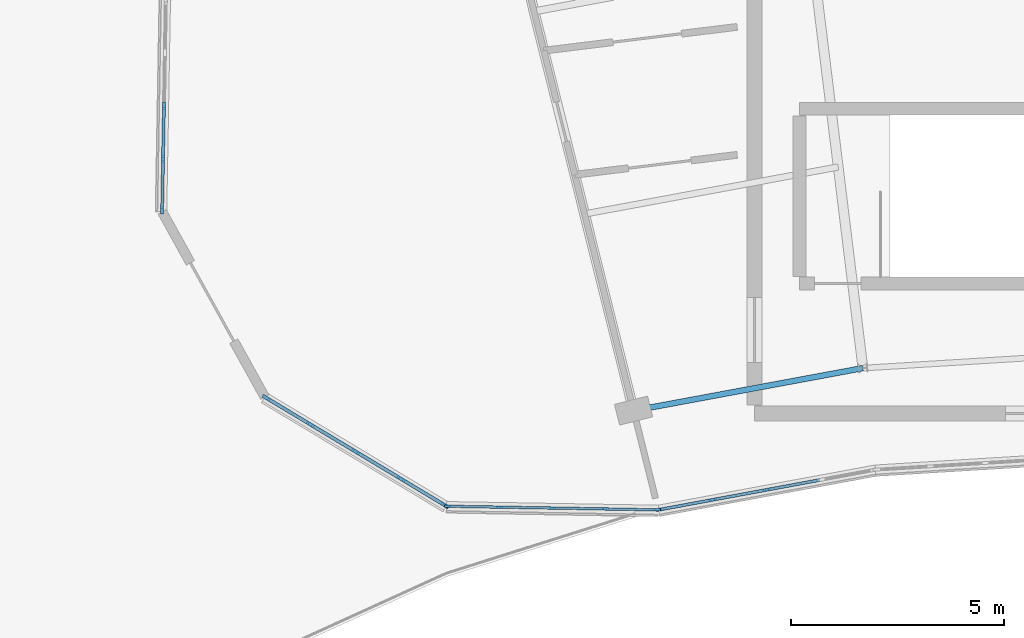
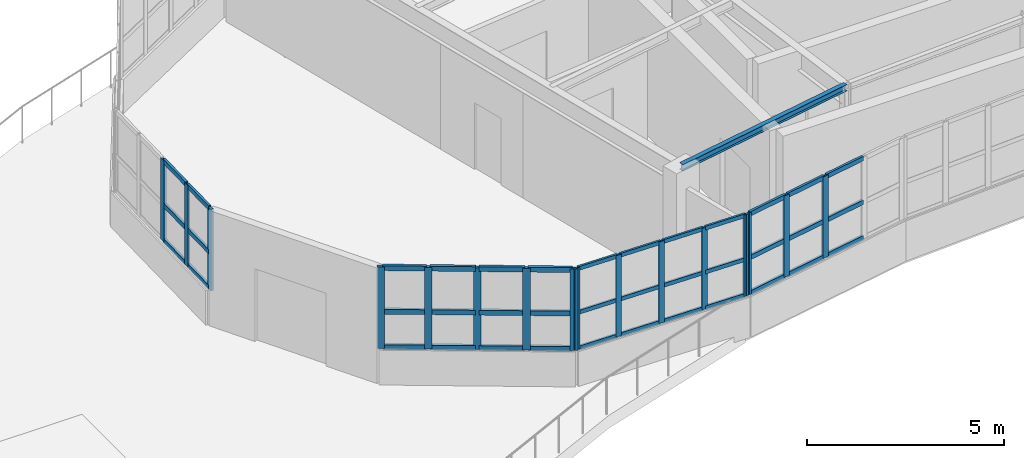
# One storey, part 6 of 26: 55 members, 1 beam, 4 elements without a shape of their own.
"""IFC4 building model written with IfcOpenShell, lengths in metres."""

from ifc_helpers import new_model, si_unit, direction, frame, origin, origin_2d, place, context, subcontext, project, spatial, rectangle, i_section, extrude, material, layer, layer_set, material_profile, profile_set, type_object, element, aggregate, save


model = new_model("IFC4")

# Units and contexts
model_context = context("Model", 3, precision=1e-05, world=origin(), true_north=direction((0.0, 1.0)))
body_context = subcontext(model_context, "Body", "Model", "MODEL_VIEW")
ifc_project = project(units=[si_unit("LENGTHUNIT", "METRE"), si_unit("AREAUNIT", "SQUARE_METRE"), si_unit("VOLUMEUNIT", "CUBIC_METRE"), si_unit("PLANEANGLEUNIT", "RADIAN"), si_unit("MASSUNIT", "GRAM", prefix="KILO")], contexts=[model_context])

# Site, building, storey
site_placement = place(None, origin())
site = spatial("IfcSite", under=ifc_project, at=site_placement, CompositionType="ELEMENT")
building_placement = place(site_placement, origin())
building = spatial("IfcBuilding", under=site, at=building_placement, Name="Tarnwether General Hospital", CompositionType="ELEMENT")
storey_placement = place(building_placement, frame((0.0, 0.0, 30.0)))
storey = spatial("IfcBuildingStorey", under=building, at=storey_placement, Name="L07", CompositionType="ELEMENT", Elevation=30.0)

# Beam
ifc_material_1 = material(Name="Steel Grade 350 (350 MPa)", Category="steel")
ifc_material_profile_1 = material_profile(ifc_material_1, i_section(OverallWidth=0.133056640625, OverallDepth=0.202880859375, WebThickness=0.005859375, FlangeThickness=0.0078125, at=origin_2d()), Name="200UB25.4")
ifc_profile_set_1 = profile_set([ifc_material_profile_1], Name="Steel Grade 350 (350 MPa)")
beam_type = type_object("IfcBeamType", Name="BM-SP5", PredefinedType="SPANDREL", material=ifc_profile_set_1)
beam_placement = place(storey_placement, frame((81.162109375, 106.468994140625, 3.798583984375), z_axis=(0.983244096291, 0.18229384825, 0.0), x_axis=(-0.18229384825, 0.983244096291, 0.0)))
element("IfcBeam", 1, at=beam_placement, inside=storey, type_object=beam_type, Name="Curved Ward NW Inner Spandrel BMG-L07-8116_10647-8654_10747-2050", PredefinedType="SPANDREL", context=body_context, shape_type="SweptSolid", body=[
    extrude(i_section(OverallWidth=0.133056640625, OverallDepth=0.202880859375, WebThickness=0.005859375, FlangeThickness=0.0078125, at=origin_2d()), origin(), (0.0, 0.0, 1.0), 5.469482421875),
])

# Curtain wall, members
ifc_material_2 = material(Name="Anodised aluminium", Category="aluminium")
ifc_layer = layer(ifc_material_2, 0.159912109375)
ifc_layer_set = layer_set([ifc_layer], Name="Anodised aluminium")
curtain_wall_type = type_object("IfcCurtainWallType", Name="CW-03", PredefinedType="NOTDEFINED", material=ifc_layer_set)
curtain_wall_1_placement = place(storey_placement, origin())
curtain_wall_1 = element("IfcCurtainWall", 2, at=curtain_wall_1_placement, inside=storey, type_object=curtain_wall_type, Name="Curtain Wall CWG-L07-817_1041-0132", PredefinedType="NOTDEFINED")
ifc_material_3 = material(Name="Anodised aluminium", Category="aluminium")
ifc_material_profile_2 = material_profile(ifc_material_3, rectangle(XDim=0.06005859375, YDim=0.159912109375, at=origin_2d()), Name="ALU-MUL-60x160")
ifc_profile_set_2 = profile_set([ifc_material_profile_2], Name="Anodised aluminium")
member_type_1 = type_object("IfcMemberType", Name="CW-ML1", PredefinedType="MULLION", material=ifc_profile_set_2)
member_1_placement = place(storey_placement, frame((81.712890625, 104.1416015625, 1.050048828125), z_axis=(0.0, 0.0, 1.0), x_axis=(-0.017304713729, -0.999850262231, 0.0)))
member_1 = element("IfcMember", 3, at=member_1_placement, type_object=member_type_1, Name="CW-03 mullion 1", PredefinedType="MULLION", context=body_context, shape_type="SweptSolid", body=[
    extrude(rectangle(XDim=0.06005859375, YDim=0.159912109375, at=origin_2d()), origin(), (0.0, 0.0, 1.0), 2.52001953125),
])
member_2_placement = place(storey_placement, frame((80.500732421875, 104.16259765625, 1.050048828125), z_axis=(0.0, 0.0, 1.0), x_axis=(-0.017304713729, -0.999850262231, 0.0)))
member_2 = element("IfcMember", 4, at=member_2_placement, type_object=member_type_1, Name="CW-03 mullion 2", PredefinedType="MULLION", context=body_context, shape_type="SweptSolid", body=[
    extrude(rectangle(XDim=0.06005859375, YDim=0.159912109375, at=origin_2d()), origin(), (0.0, 0.0, 1.0), 2.52001953125),
])
member_3_placement = place(storey_placement, frame((79.258544921875, 104.18408203125, 1.050048828125), z_axis=(0.0, 0.0, 1.0), x_axis=(-0.017304713729, -0.999850262231, 0.0)))
member_3 = element("IfcMember", 5, at=member_3_placement, type_object=member_type_1, Name="CW-03 mullion 3", PredefinedType="MULLION", context=body_context, shape_type="SweptSolid", body=[
    extrude(rectangle(XDim=0.06005859375, YDim=0.159912109375, at=origin_2d()), origin(), (0.0, 0.0, 1.0), 2.52001953125),
])
member_4_placement = place(storey_placement, frame((78.016357421875, 104.20556640625, 1.050048828125), z_axis=(0.0, 0.0, 1.0), x_axis=(-0.017304713729, -0.999850262231, 0.0)))
member_4 = element("IfcMember", 6, at=member_4_placement, type_object=member_type_1, Name="CW-03 mullion 4", PredefinedType="MULLION", context=body_context, shape_type="SweptSolid", body=[
    extrude(rectangle(XDim=0.06005859375, YDim=0.159912109375, at=origin_2d()), origin(), (0.0, 0.0, 1.0), 2.52001953125),
])
member_5_placement = place(storey_placement, frame((76.803955078125, 104.2265625, 1.050048828125), z_axis=(0.0, 0.0, 1.0), x_axis=(-0.017304713729, -0.999850262231, 0.0)))
member_5 = element("IfcMember", 7, at=member_5_placement, type_object=member_type_1, Name="CW-03 mullion 5", PredefinedType="MULLION", context=body_context, shape_type="SweptSolid", body=[
    extrude(rectangle(XDim=0.06005859375, YDim=0.159912109375, at=origin_2d()), origin(), (0.0, 0.0, 1.0), 2.52001953125),
])

curtain_wall_2_placement = place(storey_placement, origin())
curtain_wall_2 = element("IfcCurtainWall", 8, at=curtain_wall_2_placement, inside=storey, type_object=curtain_wall_type, Name="Curtain Wall CWG-L07-701_1111-0130", PredefinedType="NOTDEFINED")
ifc_material_4 = material(Name="Anodised aluminium", Category="aluminium")
ifc_material_profile_3 = material_profile(ifc_material_4, rectangle(XDim=0.070068359375, YDim=0.179931640625, at=origin_2d()), Name="ALU-MUL-70x180")
ifc_profile_set_3 = profile_set([ifc_material_profile_3], Name="Anodised aluminium")
member_type_2 = type_object("IfcMemberType", Name="CW-ML2", PredefinedType="MULLION", material=ifc_profile_set_3)
member_6_placement = place(storey_placement, frame((70.105712890625, 111.16796875, 1.050048828125), z_axis=(0.0, 0.0, 1.0), x_axis=(-0.999846698833, 0.017509392677, 0.0)))
member_6 = element("IfcMember", 9, at=member_6_placement, type_object=member_type_2, Name="CW-03 mullion 1", PredefinedType="MULLION", context=body_context, shape_type="SweptSolid", body=[
    extrude(rectangle(XDim=0.070068359375, YDim=0.179931640625, at=origin_2d()), origin(), (0.0, 0.0, 1.0), 2.52001953125),
])
member_7_placement = place(storey_placement, frame((70.126708984375, 112.375, 1.050048828125), z_axis=(0.0, 0.0, 1.0), x_axis=(-0.999846698833, 0.017509392677, 0.0)))
member_7 = element("IfcMember", 10, at=member_7_placement, type_object=member_type_2, Name="CW-03 mullion 2", PredefinedType="MULLION", context=body_context, shape_type="SweptSolid", body=[
    extrude(rectangle(XDim=0.070068359375, YDim=0.179931640625, at=origin_2d()), origin(), (0.0, 0.0, 1.0), 2.52001953125),
])
member_8_placement = place(storey_placement, frame((70.1484375, 113.616943359375, 1.050048828125), z_axis=(0.0, 0.0, 1.0), x_axis=(-0.999846698833, 0.017509392677, 0.0)))
member_8 = element("IfcMember", 11, at=member_8_placement, type_object=member_type_2, Name="CW-03 mullion 3", PredefinedType="MULLION", context=body_context, shape_type="SweptSolid", body=[
    extrude(rectangle(XDim=0.070068359375, YDim=0.179931640625, at=origin_2d()), origin(), (0.0, 0.0, 1.0), 2.52001953125),
])

curtain_wall_3_placement = place(storey_placement, origin())
curtain_wall_3 = element("IfcCurtainWall", 12, at=curtain_wall_3_placement, inside=storey, type_object=curtain_wall_type, Name="Curtain Wall CWG-L07-868_1051-0133", PredefinedType="NOTDEFINED")
member_9_placement = place(storey_placement, frame((84.2880859375, 104.612548828125, 1.050048828125), z_axis=(0.0, 0.0, 1.0), x_axis=(0.182165351666, -0.983267910924, 0.0)))
member_9 = element("IfcMember", 13, at=member_9_placement, type_object=member_type_2, Name="CW-03 mullion 3", PredefinedType="MULLION", context=body_context, shape_type="SweptSolid", body=[
    extrude(rectangle(XDim=0.070068359375, YDim=0.179931640625, at=origin_2d()), origin(), (0.0, 0.0, 1.0), 2.52001953125),
])
member_10_placement = place(storey_placement, frame((83.015380859375, 104.376708984375, 1.050048828125), z_axis=(0.0, 0.0, 1.0), x_axis=(0.182165351666, -0.983267910924, 0.0)))
member_10 = element("IfcMember", 14, at=member_10_placement, type_object=member_type_2, Name="CW-03 mullion 4", PredefinedType="MULLION", context=body_context, shape_type="SweptSolid", body=[
    extrude(rectangle(XDim=0.070068359375, YDim=0.179931640625, at=origin_2d()), origin(), (0.0, 0.0, 1.0), 2.52001953125),
])
member_11_placement = place(storey_placement, frame((81.77734375, 104.1474609375, 1.050048828125), z_axis=(0.0, 0.0, 1.0), x_axis=(0.182165351666, -0.983267910924, 0.0)))
member_11 = element("IfcMember", 15, at=member_11_placement, type_object=member_type_2, Name="CW-03 mullion 5", PredefinedType="MULLION", context=body_context, shape_type="SweptSolid", body=[
    extrude(rectangle(XDim=0.070068359375, YDim=0.179931640625, at=origin_2d()), origin(), (0.0, 0.0, 1.0), 2.52001953125),
])

curtain_wall_4_placement = place(storey_placement, origin())
curtain_wall_4 = element("IfcCurtainWall", 16, at=curtain_wall_4_placement, inside=storey, type_object=curtain_wall_type, Name="Curtain Wall CWG-L07-768_1042-0131", PredefinedType="NOTDEFINED")
ifc_material_5 = material(Name="Anodised aluminium", Category="aluminium")
ifc_material_profile_4 = material_profile(ifc_material_5, rectangle(XDim=0.080078125, YDim=0.199951171875, at=origin_2d()), Name="ALU-MUL-80x200")
ifc_profile_set_4 = profile_set([ifc_material_profile_4], Name="Anodised aluminium")
member_type_3 = type_object("IfcMemberType", Name="CW-ML4", PredefinedType="MULLION", material=ifc_profile_set_4)
member_12_placement = place(storey_placement, frame((76.73974609375, 104.24755859375, 1.050048828125), z_axis=(0.0, 0.0, 1.0), x_axis=(-0.515087415328, -0.857137652055, 0.0)))
member_12 = element("IfcMember", 17, at=member_12_placement, type_object=member_type_3, Name="CW-03 mullion 1", PredefinedType="MULLION", context=body_context, shape_type="SweptSolid", body=[
    extrude(rectangle(XDim=0.080078125, YDim=0.199951171875, at=origin_2d()), origin(), (0.0, 0.0, 1.0), 2.52001953125),
])
member_13_placement = place(storey_placement, frame((75.708984375, 104.866943359375, 1.050048828125), z_axis=(0.0, 0.0, 1.0), x_axis=(-0.515087415328, -0.857137652055, 0.0)))
member_13 = element("IfcMember", 18, at=member_13_placement, type_object=member_type_3, Name="CW-03 mullion 2", PredefinedType="MULLION", context=body_context, shape_type="SweptSolid", body=[
    extrude(rectangle(XDim=0.080078125, YDim=0.199951171875, at=origin_2d()), origin(), (0.0, 0.0, 1.0), 2.52001953125),
])
member_14_placement = place(storey_placement, frame((74.64404296875, 105.507080078125, 1.050048828125), z_axis=(0.0, 0.0, 1.0), x_axis=(-0.515087415328, -0.857137652055, 0.0)))
member_14 = element("IfcMember", 19, at=member_14_placement, type_object=member_type_3, Name="CW-03 mullion 3", PredefinedType="MULLION", context=body_context, shape_type="SweptSolid", body=[
    extrude(rectangle(XDim=0.080078125, YDim=0.199951171875, at=origin_2d()), origin(), (0.0, 0.0, 1.0), 2.52001953125),
])
member_15_placement = place(storey_placement, frame((73.5791015625, 106.14697265625, 1.050048828125), z_axis=(0.0, 0.0, 1.0), x_axis=(-0.515087415328, -0.857137652055, 0.0)))
member_15 = element("IfcMember", 20, at=member_15_placement, type_object=member_type_3, Name="CW-03 mullion 4", PredefinedType="MULLION", context=body_context, shape_type="SweptSolid", body=[
    extrude(rectangle(XDim=0.080078125, YDim=0.199951171875, at=origin_2d()), origin(), (0.0, 0.0, 1.0), 2.52001953125),
])
member_16_placement = place(storey_placement, frame((72.54833984375, 106.766357421875, 1.050048828125), z_axis=(0.0, 0.0, 1.0), x_axis=(-0.515087415328, -0.857137652055, 0.0)))
member_16 = element("IfcMember", 21, at=member_16_placement, type_object=member_type_3, Name="CW-03 mullion 5", PredefinedType="MULLION", context=body_context, shape_type="SweptSolid", body=[
    extrude(rectangle(XDim=0.080078125, YDim=0.199951171875, at=origin_2d()), origin(), (0.0, 0.0, 1.0), 2.52001953125),
])

# Member
ifc_material_6 = material(Name="Anodised aluminium", Category="aluminium")
ifc_material_profile_5 = material_profile(ifc_material_6, rectangle(XDim=0.06005859375, YDim=0.1201171875, at=origin_2d()), Name="ALU-TRN-60x120")
ifc_profile_set_5 = profile_set([ifc_material_profile_5], Name="Anodised aluminium")
member_type_4 = type_object("IfcMemberType", Name="CW-TR1", PredefinedType="USERDEFINED", material=ifc_profile_set_5)
member_17_placement = place(storey_placement, frame((81.68310546875, 104.14208984375, 1.080078125), z_axis=(-0.999852782265, 0.017158490543, 0.0), x_axis=(-0.017158490543, -0.999852782265, 0.0)))
member_17 = element("IfcMember", 22, at=member_17_placement, type_object=member_type_4, Name="CW-03 transom 1.1", ObjectType="TRANSOM", PredefinedType="USERDEFINED", context=body_context, shape_type="SweptSolid", body=[
    extrude(rectangle(XDim=0.06005859375, YDim=0.1201171875, at=origin_2d()), origin(), (0.0, 0.0, 1.0), 1.152587890625),
])

member_18_placement = place(storey_placement, frame((81.68310546875, 104.14208984375, 2.18408203125), z_axis=(-0.999852782265, 0.017158490543, 0.0), x_axis=(-0.017158490543, -0.999852782265, 0.0)))
member_18 = element("IfcMember", 23, at=member_18_placement, type_object=member_type_4, Name="CW-03 transom 1.2", ObjectType="TRANSOM", PredefinedType="USERDEFINED", context=body_context, shape_type="SweptSolid", body=[
    extrude(rectangle(XDim=0.06005859375, YDim=0.1201171875, at=origin_2d()), origin(), (0.0, 0.0, 1.0), 1.152587890625),
])

member_19_placement = place(storey_placement, frame((81.68310546875, 104.14208984375, 3.5400390625), z_axis=(-0.999852782265, 0.017158490543, 0.0), x_axis=(-0.017158490543, -0.999852782265, 0.0)))
member_19 = element("IfcMember", 24, at=member_19_placement, type_object=member_type_4, Name="CW-03 transom 1.3", ObjectType="TRANSOM", PredefinedType="USERDEFINED", context=body_context, shape_type="SweptSolid", body=[
    extrude(rectangle(XDim=0.06005859375, YDim=0.1201171875, at=origin_2d()), origin(), (0.0, 0.0, 1.0), 1.152587890625),
])

member_20_placement = place(storey_placement, frame((80.470703125, 104.1630859375, 1.080078125), z_axis=(-0.99984955388, 0.017345593252, 0.0), x_axis=(-0.017345593252, -0.99984955388, 0.0)))
member_20 = element("IfcMember", 25, at=member_20_placement, type_object=member_type_4, Name="CW-03 transom 2.1", ObjectType="TRANSOM", PredefinedType="USERDEFINED", context=body_context, shape_type="SweptSolid", body=[
    extrude(rectangle(XDim=0.06005859375, YDim=0.1201171875, at=origin_2d()), origin(), (0.0, 0.0, 1.0), 1.182373046875),
])

member_21_placement = place(storey_placement, frame((80.470703125, 104.1630859375, 2.18408203125), z_axis=(-0.99984955388, 0.017345593252, 0.0), x_axis=(-0.017345593252, -0.99984955388, 0.0)))
member_21 = element("IfcMember", 26, at=member_21_placement, type_object=member_type_4, Name="CW-03 transom 2.2", ObjectType="TRANSOM", PredefinedType="USERDEFINED", context=body_context, shape_type="SweptSolid", body=[
    extrude(rectangle(XDim=0.06005859375, YDim=0.1201171875, at=origin_2d()), origin(), (0.0, 0.0, 1.0), 1.182373046875),
])

member_22_placement = place(storey_placement, frame((80.470703125, 104.1630859375, 3.5400390625), z_axis=(-0.99984955388, 0.017345593252, 0.0), x_axis=(-0.017345593252, -0.99984955388, 0.0)))
member_22 = element("IfcMember", 27, at=member_22_placement, type_object=member_type_4, Name="CW-03 transom 2.3", ObjectType="TRANSOM", PredefinedType="USERDEFINED", context=body_context, shape_type="SweptSolid", body=[
    extrude(rectangle(XDim=0.06005859375, YDim=0.1201171875, at=origin_2d()), origin(), (0.0, 0.0, 1.0), 1.182373046875),
])

member_23_placement = place(storey_placement, frame((79.228515625, 104.1845703125, 1.080078125), z_axis=(-0.999849615989, 0.017342012749, 0.0), x_axis=(-0.017342012749, -0.999849615989, 0.0)))
member_23 = element("IfcMember", 28, at=member_23_placement, type_object=member_type_4, Name="CW-03 transom 3.1", ObjectType="TRANSOM", PredefinedType="USERDEFINED", context=body_context, shape_type="SweptSolid", body=[
    extrude(rectangle(XDim=0.06005859375, YDim=0.1201171875, at=origin_2d()), origin(), (0.0, 0.0, 1.0), 1.1826171875),
])

member_24_placement = place(storey_placement, frame((79.228515625, 104.1845703125, 2.18408203125), z_axis=(-0.999849615989, 0.017342012749, 0.0), x_axis=(-0.017342012749, -0.999849615989, 0.0)))
member_24 = element("IfcMember", 29, at=member_24_placement, type_object=member_type_4, Name="CW-03 transom 3.2", ObjectType="TRANSOM", PredefinedType="USERDEFINED", context=body_context, shape_type="SweptSolid", body=[
    extrude(rectangle(XDim=0.06005859375, YDim=0.1201171875, at=origin_2d()), origin(), (0.0, 0.0, 1.0), 1.1826171875),
])

member_25_placement = place(storey_placement, frame((79.228515625, 104.1845703125, 3.5400390625), z_axis=(-0.999849615989, 0.017342012749, 0.0), x_axis=(-0.017342012749, -0.999849615989, 0.0)))
member_25 = element("IfcMember", 30, at=member_25_placement, type_object=member_type_4, Name="CW-03 transom 3.3", ObjectType="TRANSOM", PredefinedType="USERDEFINED", context=body_context, shape_type="SweptSolid", body=[
    extrude(rectangle(XDim=0.06005859375, YDim=0.1201171875, at=origin_2d()), origin(), (0.0, 0.0, 1.0), 1.1826171875),
])

member_26_placement = place(storey_placement, frame((77.986328125, 104.2060546875, 1.080078125), z_axis=(-0.999849125648, 0.017370260234, 0.0), x_axis=(-0.017370260234, -0.999849125648, 0.0)))
member_26 = element("IfcMember", 31, at=member_26_placement, type_object=member_type_4, Name="CW-03 transom 4.1", ObjectType="TRANSOM", PredefinedType="USERDEFINED", context=body_context, shape_type="SweptSolid", body=[
    extrude(rectangle(XDim=0.06005859375, YDim=0.1201171875, at=origin_2d()), origin(), (0.0, 0.0, 1.0), 1.152587890625),
])

member_27_placement = place(storey_placement, frame((77.986328125, 104.2060546875, 2.18408203125), z_axis=(-0.999849125648, 0.017370260234, 0.0), x_axis=(-0.017370260234, -0.999849125648, 0.0)))
member_27 = element("IfcMember", 32, at=member_27_placement, type_object=member_type_4, Name="CW-03 transom 4.2", ObjectType="TRANSOM", PredefinedType="USERDEFINED", context=body_context, shape_type="SweptSolid", body=[
    extrude(rectangle(XDim=0.06005859375, YDim=0.1201171875, at=origin_2d()), origin(), (0.0, 0.0, 1.0), 1.152587890625),
])

member_28_placement = place(storey_placement, frame((77.986328125, 104.2060546875, 3.5400390625), z_axis=(-0.999849125648, 0.017370260234, 0.0), x_axis=(-0.017370260234, -0.999849125648, 0.0)))
member_28 = element("IfcMember", 33, at=member_28_placement, type_object=member_type_4, Name="CW-03 transom 4.3", ObjectType="TRANSOM", PredefinedType="USERDEFINED", context=body_context, shape_type="SweptSolid", body=[
    extrude(rectangle(XDim=0.06005859375, YDim=0.1201171875, at=origin_2d()), origin(), (0.0, 0.0, 1.0), 1.152587890625),
])

aggregate(curtain_wall_1, [member_1, member_2, member_3, member_4, member_5, member_17, member_18, member_19, member_20, member_21, member_22, member_23, member_24, member_25, member_26, member_27, member_28])

ifc_material_7 = material(Name="Anodised aluminium", Category="aluminium")
ifc_material_profile_6 = material_profile(ifc_material_7, rectangle(XDim=0.070068359375, YDim=0.139892578125, at=origin_2d()), Name="ALU-TRN-70x140")
ifc_profile_set_6 = profile_set([ifc_material_profile_6], Name="Anodised aluminium")
member_type_5 = type_object("IfcMemberType", Name="CW-TR2", PredefinedType="USERDEFINED", material=ifc_profile_set_6)
member_29_placement = place(storey_placement, frame((70.106201171875, 111.202880859375, 1.0849609375), z_axis=(0.017601394771, 0.999845083451, 0.0), x_axis=(-0.999845083451, 0.017601394771, 0.0)))
member_29 = element("IfcMember", 34, at=member_29_placement, type_object=member_type_5, Name="CW-03 transom 1.1", ObjectType="TRANSOM", PredefinedType="USERDEFINED", context=body_context, shape_type="SweptSolid", body=[
    extrude(rectangle(XDim=0.070068359375, YDim=0.139892578125, at=origin_2d()), origin(), (0.0, 0.0, 1.0), 1.137451171875),
])

member_30_placement = place(storey_placement, frame((70.106201171875, 111.202880859375, 2.18408203125), z_axis=(0.017601394771, 0.999845083451, 0.0), x_axis=(-0.999845083451, 0.017601394771, 0.0)))
member_30 = element("IfcMember", 35, at=member_30_placement, type_object=member_type_5, Name="CW-03 transom 1.2", ObjectType="TRANSOM", PredefinedType="USERDEFINED", context=body_context, shape_type="SweptSolid", body=[
    extrude(rectangle(XDim=0.070068359375, YDim=0.139892578125, at=origin_2d()), origin(), (0.0, 0.0, 1.0), 1.137451171875),
])

member_31_placement = place(storey_placement, frame((70.106201171875, 111.202880859375, 3.534912109375), z_axis=(0.017601394771, 0.999845083451, 0.0), x_axis=(-0.999845083451, 0.017601394771, 0.0)))
member_31 = element("IfcMember", 36, at=member_31_placement, type_object=member_type_5, Name="CW-03 transom 1.3", ObjectType="TRANSOM", PredefinedType="USERDEFINED", context=body_context, shape_type="SweptSolid", body=[
    extrude(rectangle(XDim=0.070068359375, YDim=0.139892578125, at=origin_2d()), origin(), (0.0, 0.0, 1.0), 1.137451171875),
])

member_32_placement = place(storey_placement, frame((70.12744140625, 112.409912109375, 1.0849609375), z_axis=(0.017493677527, 0.999846973915, 0.0), x_axis=(-0.999846973915, 0.017493677527, 0.0)))
member_32 = element("IfcMember", 37, at=member_32_placement, type_object=member_type_5, Name="CW-03 transom 2.1", ObjectType="TRANSOM", PredefinedType="USERDEFINED", context=body_context, shape_type="SweptSolid", body=[
    extrude(rectangle(XDim=0.070068359375, YDim=0.139892578125, at=origin_2d()), origin(), (0.0, 0.0, 1.0), 1.17236328125),
])

member_33_placement = place(storey_placement, frame((70.12744140625, 112.409912109375, 2.18408203125), z_axis=(0.017493677527, 0.999846973915, 0.0), x_axis=(-0.999846973915, 0.017493677527, 0.0)))
member_33 = element("IfcMember", 38, at=member_33_placement, type_object=member_type_5, Name="CW-03 transom 2.2", ObjectType="TRANSOM", PredefinedType="USERDEFINED", context=body_context, shape_type="SweptSolid", body=[
    extrude(rectangle(XDim=0.070068359375, YDim=0.139892578125, at=origin_2d()), origin(), (0.0, 0.0, 1.0), 1.17236328125),
])

member_34_placement = place(storey_placement, frame((70.12744140625, 112.409912109375, 3.534912109375), z_axis=(0.017493677527, 0.999846973915, 0.0), x_axis=(-0.999846973915, 0.017493677527, 0.0)))
member_34 = element("IfcMember", 39, at=member_34_placement, type_object=member_type_5, Name="CW-03 transom 2.3", ObjectType="TRANSOM", PredefinedType="USERDEFINED", context=body_context, shape_type="SweptSolid", body=[
    extrude(rectangle(XDim=0.070068359375, YDim=0.139892578125, at=origin_2d()), origin(), (0.0, 0.0, 1.0), 1.17236328125),
])

aggregate(curtain_wall_2, [member_6, member_7, member_8, member_29, member_30, member_31, member_32, member_33, member_34])

member_35_placement = place(storey_placement, frame((85.526123046875, 104.841796875, 1.0849609375), z_axis=(-0.983280682356, -0.182096402229, 0.0), x_axis=(0.182096402229, -0.983280682356, 0.0)))
member_35 = element("IfcMember", 40, at=member_35_placement, type_object=member_type_5, Name="CW-03 transom 2.1", ObjectType="TRANSOM", PredefinedType="USERDEFINED", context=body_context, shape_type="SweptSolid", body=[
    extrude(rectangle(XDim=0.070068359375, YDim=0.139892578125, at=origin_2d()), origin(), (0.0, 0.0, 1.0), 1.22412109375),
])

member_36_placement = place(storey_placement, frame((85.526123046875, 104.841796875, 2.18408203125), z_axis=(-0.983280682356, -0.182096402229, 0.0), x_axis=(0.182096402229, -0.983280682356, 0.0)))
member_36 = element("IfcMember", 41, at=member_36_placement, type_object=member_type_5, Name="CW-03 transom 2.2", ObjectType="TRANSOM", PredefinedType="USERDEFINED", context=body_context, shape_type="SweptSolid", body=[
    extrude(rectangle(XDim=0.070068359375, YDim=0.139892578125, at=origin_2d()), origin(), (0.0, 0.0, 1.0), 1.22412109375),
])

member_37_placement = place(storey_placement, frame((85.526123046875, 104.841796875, 3.534912109375), z_axis=(-0.983280682356, -0.182096402229, 0.0), x_axis=(0.182096402229, -0.983280682356, 0.0)))
member_37 = element("IfcMember", 42, at=member_37_placement, type_object=member_type_5, Name="CW-03 transom 2.3", ObjectType="TRANSOM", PredefinedType="USERDEFINED", context=body_context, shape_type="SweptSolid", body=[
    extrude(rectangle(XDim=0.070068359375, YDim=0.139892578125, at=origin_2d()), origin(), (0.0, 0.0, 1.0), 1.22412109375),
])

member_38_placement = place(storey_placement, frame((84.253662109375, 104.606201171875, 1.0849609375), z_axis=(-0.983251578488, -0.182253486664, 0.0), x_axis=(0.182253486664, -0.983251578488, 0.0)))
member_38 = element("IfcMember", 43, at=member_38_placement, type_object=member_type_5, Name="CW-03 transom 3.1", ObjectType="TRANSOM", PredefinedType="USERDEFINED", context=body_context, shape_type="SweptSolid", body=[
    extrude(rectangle(XDim=0.070068359375, YDim=0.139892578125, at=origin_2d()), origin(), (0.0, 0.0, 1.0), 1.224365234375),
])

member_39_placement = place(storey_placement, frame((84.253662109375, 104.606201171875, 2.18408203125), z_axis=(-0.983251578488, -0.182253486664, 0.0), x_axis=(0.182253486664, -0.983251578488, 0.0)))
member_39 = element("IfcMember", 44, at=member_39_placement, type_object=member_type_5, Name="CW-03 transom 3.2", ObjectType="TRANSOM", PredefinedType="USERDEFINED", context=body_context, shape_type="SweptSolid", body=[
    extrude(rectangle(XDim=0.070068359375, YDim=0.139892578125, at=origin_2d()), origin(), (0.0, 0.0, 1.0), 1.224365234375),
])

member_40_placement = place(storey_placement, frame((84.253662109375, 104.606201171875, 3.534912109375), z_axis=(-0.983251578488, -0.182253486664, 0.0), x_axis=(0.182253486664, -0.983251578488, 0.0)))
member_40 = element("IfcMember", 45, at=member_40_placement, type_object=member_type_5, Name="CW-03 transom 3.3", ObjectType="TRANSOM", PredefinedType="USERDEFINED", context=body_context, shape_type="SweptSolid", body=[
    extrude(rectangle(XDim=0.070068359375, YDim=0.139892578125, at=origin_2d()), origin(), (0.0, 0.0, 1.0), 1.224365234375),
])

member_41_placement = place(storey_placement, frame((82.981201171875, 104.370361328125, 1.0849609375), z_axis=(-0.983283366219, -0.18208190936, 0.0), x_axis=(0.18208190936, -0.983283366219, 0.0)))
member_41 = element("IfcMember", 46, at=member_41_placement, type_object=member_type_5, Name="CW-03 transom 4.1", ObjectType="TRANSOM", PredefinedType="USERDEFINED", context=body_context, shape_type="SweptSolid", body=[
    extrude(rectangle(XDim=0.070068359375, YDim=0.139892578125, at=origin_2d()), origin(), (0.0, 0.0, 1.0), 1.189208984375),
])

member_42_placement = place(storey_placement, frame((82.981201171875, 104.370361328125, 2.18408203125), z_axis=(-0.983283366219, -0.18208190936, 0.0), x_axis=(0.18208190936, -0.983283366219, 0.0)))
member_42 = element("IfcMember", 47, at=member_42_placement, type_object=member_type_5, Name="CW-03 transom 4.2", ObjectType="TRANSOM", PredefinedType="USERDEFINED", context=body_context, shape_type="SweptSolid", body=[
    extrude(rectangle(XDim=0.070068359375, YDim=0.139892578125, at=origin_2d()), origin(), (0.0, 0.0, 1.0), 1.189208984375),
])

member_43_placement = place(storey_placement, frame((82.981201171875, 104.370361328125, 3.534912109375), z_axis=(-0.983283366219, -0.18208190936, 0.0), x_axis=(0.18208190936, -0.983283366219, 0.0)))
member_43 = element("IfcMember", 48, at=member_43_placement, type_object=member_type_5, Name="CW-03 transom 4.3", ObjectType="TRANSOM", PredefinedType="USERDEFINED", context=body_context, shape_type="SweptSolid", body=[
    extrude(rectangle(XDim=0.070068359375, YDim=0.139892578125, at=origin_2d()), origin(), (0.0, 0.0, 1.0), 1.189208984375),
])

aggregate(curtain_wall_3, [member_9, member_10, member_11, member_35, member_36, member_37, member_38, member_39, member_40, member_41, member_42, member_43])

ifc_material_8 = material(Name="Anodised aluminium", Category="aluminium")
ifc_material_profile_7 = material_profile(ifc_material_8, rectangle(XDim=0.080078125, YDim=0.14990234375, at=origin_2d()), Name="ALU-TRN-80x150")
ifc_profile_set_7 = profile_set([ifc_material_profile_7], Name="Anodised aluminium")
member_type_6 = type_object("IfcMemberType", Name="CW-TR4", PredefinedType="USERDEFINED", material=ifc_profile_set_7)
member_44_placement = place(storey_placement, frame((76.705322265625, 104.268310546875, 1.090087890625), z_axis=(-0.857166503692, 0.515039401356, 0.0), x_axis=(-0.515039401356, -0.857166503692, 0.0)))
member_44 = element("IfcMember", 49, at=member_44_placement, type_object=member_type_6, Name="CW-03 transom 1.1", ObjectType="TRANSOM", PredefinedType="USERDEFINED", context=body_context, shape_type="SweptSolid", body=[
    extrude(rectangle(XDim=0.080078125, YDim=0.14990234375, at=origin_2d()), origin(), (0.0, 0.0, 1.0), 1.12255859375),
])

member_45_placement = place(storey_placement, frame((76.705322265625, 104.268310546875, 2.18408203125), z_axis=(-0.857166503692, 0.515039401356, 0.0), x_axis=(-0.515039401356, -0.857166503692, 0.0)))
member_45 = element("IfcMember", 50, at=member_45_placement, type_object=member_type_6, Name="CW-03 transom 1.2", ObjectType="TRANSOM", PredefinedType="USERDEFINED", context=body_context, shape_type="SweptSolid", body=[
    extrude(rectangle(XDim=0.080078125, YDim=0.14990234375, at=origin_2d()), origin(), (0.0, 0.0, 1.0), 1.12255859375),
])

member_46_placement = place(storey_placement, frame((76.705322265625, 104.268310546875, 3.530029296875), z_axis=(-0.857166503692, 0.515039401356, 0.0), x_axis=(-0.515039401356, -0.857166503692, 0.0)))
member_46 = element("IfcMember", 51, at=member_46_placement, type_object=member_type_6, Name="CW-03 transom 1.3", ObjectType="TRANSOM", PredefinedType="USERDEFINED", context=body_context, shape_type="SweptSolid", body=[
    extrude(rectangle(XDim=0.080078125, YDim=0.14990234375, at=origin_2d()), origin(), (0.0, 0.0, 1.0), 1.12255859375),
])

member_47_placement = place(storey_placement, frame((75.6748046875, 104.8876953125, 1.090087890625), z_axis=(-0.857233400892, 0.514928049727, 0.0), x_axis=(-0.514928049727, -0.857233400892, 0.0)))
member_47 = element("IfcMember", 52, at=member_47_placement, type_object=member_type_6, Name="CW-03 transom 2.1", ObjectType="TRANSOM", PredefinedType="USERDEFINED", context=body_context, shape_type="SweptSolid", body=[
    extrude(rectangle(XDim=0.080078125, YDim=0.14990234375, at=origin_2d()), origin(), (0.0, 0.0, 1.0), 1.16259765625),
])

member_48_placement = place(storey_placement, frame((75.6748046875, 104.8876953125, 2.18408203125), z_axis=(-0.857233400892, 0.514928049727, 0.0), x_axis=(-0.514928049727, -0.857233400892, 0.0)))
member_48 = element("IfcMember", 53, at=member_48_placement, type_object=member_type_6, Name="CW-03 transom 2.2", ObjectType="TRANSOM", PredefinedType="USERDEFINED", context=body_context, shape_type="SweptSolid", body=[
    extrude(rectangle(XDim=0.080078125, YDim=0.14990234375, at=origin_2d()), origin(), (0.0, 0.0, 1.0), 1.16259765625),
])

member_49_placement = place(storey_placement, frame((75.6748046875, 104.8876953125, 3.530029296875), z_axis=(-0.857233400892, 0.514928049727, 0.0), x_axis=(-0.514928049727, -0.857233400892, 0.0)))
member_49 = element("IfcMember", 54, at=member_49_placement, type_object=member_type_6, Name="CW-03 transom 2.3", ObjectType="TRANSOM", PredefinedType="USERDEFINED", context=body_context, shape_type="SweptSolid", body=[
    extrude(rectangle(XDim=0.080078125, YDim=0.14990234375, at=origin_2d()), origin(), (0.0, 0.0, 1.0), 1.16259765625),
])

member_50_placement = place(storey_placement, frame((74.609619140625, 105.527587890625, 1.090087890625), z_axis=(-0.857084973787, 0.515175065107, 0.0), x_axis=(-0.515175065107, -0.857084973787, 0.0)))
member_50 = element("IfcMember", 55, at=member_50_placement, type_object=member_type_6, Name="CW-03 transom 3.1", ObjectType="TRANSOM", PredefinedType="USERDEFINED", context=body_context, shape_type="SweptSolid", body=[
    extrude(rectangle(XDim=0.080078125, YDim=0.14990234375, at=origin_2d()), origin(), (0.0, 0.0, 1.0), 1.162353515625),
])

member_51_placement = place(storey_placement, frame((74.609619140625, 105.527587890625, 2.18408203125), z_axis=(-0.857084973787, 0.515175065107, 0.0), x_axis=(-0.515175065107, -0.857084973787, 0.0)))
member_51 = element("IfcMember", 56, at=member_51_placement, type_object=member_type_6, Name="CW-03 transom 3.2", ObjectType="TRANSOM", PredefinedType="USERDEFINED", context=body_context, shape_type="SweptSolid", body=[
    extrude(rectangle(XDim=0.080078125, YDim=0.14990234375, at=origin_2d()), origin(), (0.0, 0.0, 1.0), 1.162353515625),
])

member_52_placement = place(storey_placement, frame((74.609619140625, 105.527587890625, 3.530029296875), z_axis=(-0.857084973787, 0.515175065107, 0.0), x_axis=(-0.515175065107, -0.857084973787, 0.0)))
member_52 = element("IfcMember", 57, at=member_52_placement, type_object=member_type_6, Name="CW-03 transom 3.3", ObjectType="TRANSOM", PredefinedType="USERDEFINED", context=body_context, shape_type="SweptSolid", body=[
    extrude(rectangle(XDim=0.080078125, YDim=0.14990234375, at=origin_2d()), origin(), (0.0, 0.0, 1.0), 1.162353515625),
])

member_53_placement = place(storey_placement, frame((73.544677734375, 106.167724609375, 1.090087890625), z_axis=(-0.857166503692, 0.515039401356, 0.0), x_axis=(-0.515039401356, -0.857166503692, 0.0)))
member_53 = element("IfcMember", 58, at=member_53_placement, type_object=member_type_6, Name="CW-03 transom 4.1", ObjectType="TRANSOM", PredefinedType="USERDEFINED", context=body_context, shape_type="SweptSolid", body=[
    extrude(rectangle(XDim=0.080078125, YDim=0.14990234375, at=origin_2d()), origin(), (0.0, 0.0, 1.0), 1.12255859375),
])

member_54_placement = place(storey_placement, frame((73.544677734375, 106.167724609375, 2.18408203125), z_axis=(-0.857166503692, 0.515039401356, 0.0), x_axis=(-0.515039401356, -0.857166503692, 0.0)))
member_54 = element("IfcMember", 59, at=member_54_placement, type_object=member_type_6, Name="CW-03 transom 4.2", ObjectType="TRANSOM", PredefinedType="USERDEFINED", context=body_context, shape_type="SweptSolid", body=[
    extrude(rectangle(XDim=0.080078125, YDim=0.14990234375, at=origin_2d()), origin(), (0.0, 0.0, 1.0), 1.12255859375),
])

member_55_placement = place(storey_placement, frame((73.544677734375, 106.167724609375, 3.530029296875), z_axis=(-0.857166503692, 0.515039401356, 0.0), x_axis=(-0.515039401356, -0.857166503692, 0.0)))
member_55 = element("IfcMember", 60, at=member_55_placement, type_object=member_type_6, Name="CW-03 transom 4.3", ObjectType="TRANSOM", PredefinedType="USERDEFINED", context=body_context, shape_type="SweptSolid", body=[
    extrude(rectangle(XDim=0.080078125, YDim=0.14990234375, at=origin_2d()), origin(), (0.0, 0.0, 1.0), 1.12255859375),
])

aggregate(curtain_wall_4, [member_12, member_13, member_14, member_15, member_16, member_44, member_45, member_46, member_47, member_48, member_49, member_50, member_51, member_52, member_53, member_54, member_55])

save(model, "model.ifc")
